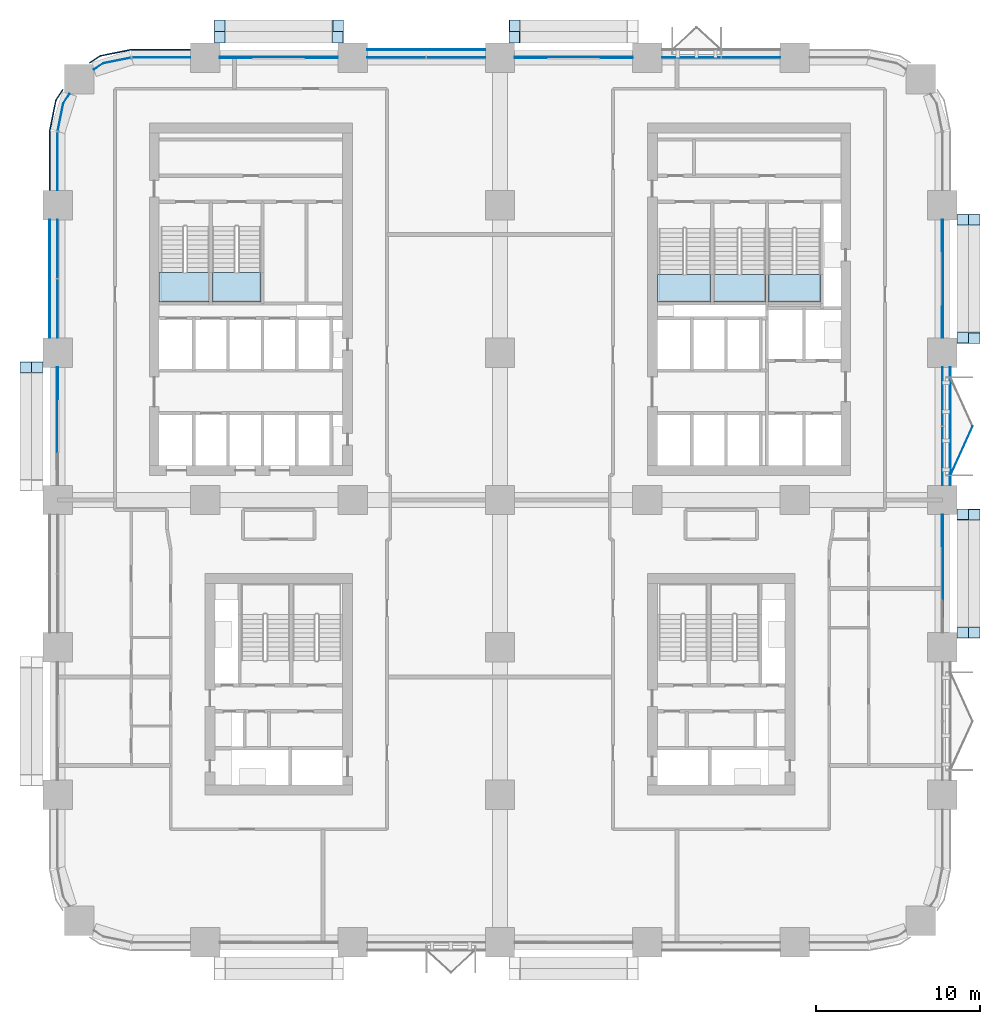
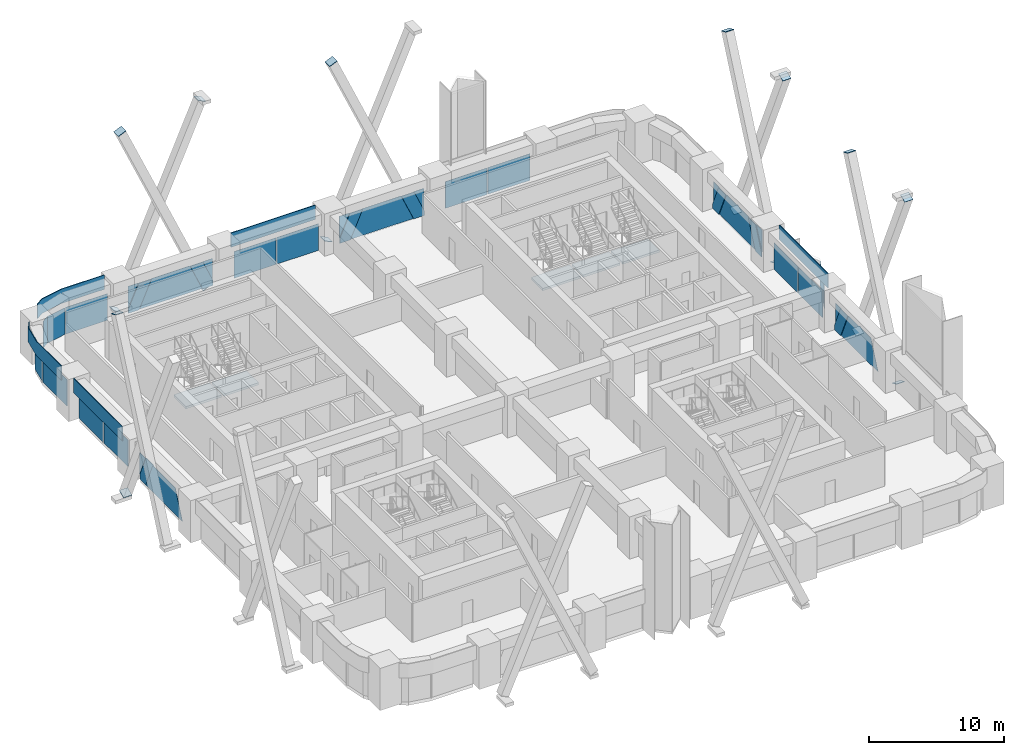
# One storey, part 13 of 24: 55 plates, 5 slabs, 16 elements without a shape of their own.
"""IFC4 building model written with IfcOpenShell, lengths in metres."""

from ifc_helpers import new_model, si_unit, direction, frame, origin, origin_2d, place, context, subcontext, project, spatial, polyline, rectangle, outline, extrude, material, layer, layer_set, type_object, element, aggregate, save


model = new_model("IFC4")

# Units and contexts
model_context = context("Model", 3, precision=1e-05, world=origin(), true_north=direction((0.0, 1.0)))
body_context = subcontext(model_context, "Body", "Model", "MODEL_VIEW")
ifc_project = project(units=[si_unit("LENGTHUNIT", "METRE"), si_unit("AREAUNIT", "SQUARE_METRE"), si_unit("VOLUMEUNIT", "CUBIC_METRE"), si_unit("PLANEANGLEUNIT", "RADIAN"), si_unit("MASSUNIT", "GRAM", prefix="KILO")], contexts=[model_context])

# Site, building, storey
site_placement = place(None, origin())
site = spatial("IfcSite", under=ifc_project, at=site_placement, CompositionType="ELEMENT")
building_placement = place(site_placement, origin())
building = spatial("IfcBuilding", under=site, at=building_placement, Name="Tessera Arch", CompositionType="ELEMENT")
storey_placement = place(building_placement, frame((0.0, 0.0, 61.39990234375)))
storey = spatial("IfcBuildingStorey", under=building, at=storey_placement, Name="L13", CompositionType="ELEMENT", Elevation=61.39990234375)

# Curtain wall, plates
ifc_material_1 = material(Name="CW1 curtain wall")
curtain_wall_type_1 = type_object("IfcCurtainWallType", Name="CW1 curtain wall", PredefinedType="NOTDEFINED", material=ifc_material_1)
curtain_wall_1_placement = place(storey_placement, origin())
curtain_wall_1 = element("IfcCurtainWall", 1, at=curtain_wall_1_placement, inside=storey, type_object=curtain_wall_type_1, Name="CW1 curtain wall E54.0/3 L13", PredefinedType="NOTDEFINED")
ifc_material_2 = material(Name="Clear low-e glass", Category="glass")
ifc_material_3 = material(Name="Clear low-e glass", Category="glass")
ifc_layer_1 = layer(ifc_material_3, 0.028076171875)
ifc_layer_set_1 = layer_set([ifc_layer_1], Name="CW1 glass panel")
plate_type_1 = type_object("IfcPlateType", Name="CW1 glass panel", PredefinedType="CURTAIN_PANEL", material=ifc_layer_set_1)
plate_1_placement = place(storey_placement, frame((54.0, 29.68505859375, 0.000244140625), z_axis=(0.0, 0.0, 1.0), x_axis=(0.0, 1.0, 0.0)))
plate_1 = element("IfcPlate", 2, at=plate_1_placement, type_object=plate_type_1, material=ifc_material_2, Name="CW1 glass panel E54.0/3 1.1.1", PredefinedType="CURTAIN_PANEL", context=body_context, shape_type="SweptSolid", body=[
    extrude(rectangle(XDim=3.570068359375, YDim=0.028076171875, at=origin_2d()), origin(), (0.0, 0.0, 1.0), 2.39990234375),
])
plate_2_placement = place(storey_placement, frame((54.0, 33.31494140625, 0.000244140625), z_axis=(0.0, 0.0, 1.0), x_axis=(0.0, 1.0, 0.0)))
plate_2 = element("IfcPlate", 3, at=plate_2_placement, type_object=plate_type_1, material=ifc_material_2, Name="CW1 glass panel E54.0/3 1.2.1", PredefinedType="CURTAIN_PANEL", context=body_context, shape_type="SweptSolid", body=[
    extrude(rectangle(XDim=3.570068359375, YDim=0.028076171875, at=origin_2d()), origin(), (0.0, 0.0, 1.0), 2.39990234375),
])

curtain_wall_2_placement = place(storey_placement, origin())
curtain_wall_2 = element("IfcCurtainWall", 4, at=curtain_wall_2_placement, inside=storey, type_object=curtain_wall_type_1, Name="CW1 curtain wall N54.0/1 L13", PredefinedType="NOTDEFINED")
plate_3_placement = place(storey_placement, frame((42.31494140625, 54.0, 0.000244140625), z_axis=(0.0, 0.0, 1.0), x_axis=(-1.0, 0.0, 0.0)))
plate_3 = element("IfcPlate", 5, at=plate_3_placement, type_object=plate_type_1, material=ifc_material_2, Name="CW1 glass panel N54.0/1 1.1.1", PredefinedType="CURTAIN_PANEL", context=body_context, shape_type="SweptSolid", body=[
    extrude(rectangle(XDim=3.570068359375, YDim=0.028076171875, at=origin_2d()), origin(), (0.0, 0.0, 1.0), 2.39990234375),
])
plate_4_placement = place(storey_placement, frame((38.68505859375, 54.0, 0.000244140625), z_axis=(0.0, 0.0, 1.0), x_axis=(-1.0, 0.0, 0.0)))
plate_4 = element("IfcPlate", 6, at=plate_4_placement, type_object=plate_type_1, material=ifc_material_2, Name="CW1 glass panel N54.0/1 1.2.1", PredefinedType="CURTAIN_PANEL", context=body_context, shape_type="SweptSolid", body=[
    extrude(rectangle(XDim=3.570068359375, YDim=0.028076171875, at=origin_2d()), origin(), (0.0, 0.0, 1.0), 2.39990234375),
])
aggregate(curtain_wall_2, [plate_3, plate_4])

curtain_wall_3_placement = place(storey_placement, origin())
curtain_wall_3 = element("IfcCurtainWall", 7, at=curtain_wall_3_placement, inside=storey, type_object=curtain_wall_type_1, Name="CW1 curtain wall N54.0/3 L13", PredefinedType="NOTDEFINED")
plate_5_placement = place(storey_placement, frame((24.31494140625, 54.0, 0.000244140625), z_axis=(0.0, 0.0, 1.0), x_axis=(-1.0, 0.0, 0.0)))
plate_5 = element("IfcPlate", 8, at=plate_5_placement, type_object=plate_type_1, material=ifc_material_2, Name="CW1 glass panel N54.0/3 1.1.1", PredefinedType="CURTAIN_PANEL", context=body_context, shape_type="SweptSolid", body=[
    extrude(rectangle(XDim=3.570068359375, YDim=0.028076171875, at=origin_2d()), origin(), (0.0, 0.0, 1.0), 2.39990234375),
])
plate_6_placement = place(storey_placement, frame((20.68505859375, 54.0, 0.000244140625), z_axis=(0.0, 0.0, 1.0), x_axis=(-1.0, 0.0, 0.0)))
plate_6 = element("IfcPlate", 9, at=plate_6_placement, type_object=plate_type_1, material=ifc_material_2, Name="CW1 glass panel N54.0/3 1.2.1", PredefinedType="CURTAIN_PANEL", context=body_context, shape_type="SweptSolid", body=[
    extrude(rectangle(XDim=3.570068359375, YDim=0.028076171875, at=origin_2d()), origin(), (0.0, 0.0, 1.0), 2.39990234375),
])

curtain_wall_4_placement = place(storey_placement, origin())
curtain_wall_4 = element("IfcCurtainWall", 10, at=curtain_wall_4_placement, inside=storey, type_object=curtain_wall_type_1, Name="CW1 curtain wall W0.0/1 L13", PredefinedType="NOTDEFINED")
plate_7_placement = place(storey_placement, frame((0.0, 42.31494140625, 0.000244140625), z_axis=(0.0, 0.0, 1.0), x_axis=(0.0, -1.0, 0.0)))
plate_7 = element("IfcPlate", 11, at=plate_7_placement, type_object=plate_type_1, material=ifc_material_2, Name="CW1 glass panel W0.0/1 1.1.1", PredefinedType="CURTAIN_PANEL", context=body_context, shape_type="SweptSolid", body=[
    extrude(rectangle(XDim=3.570068359375, YDim=0.028076171875, at=origin_2d()), origin(), (0.0, 0.0, 1.0), 2.39990234375),
])
plate_8_placement = place(storey_placement, frame((0.0, 38.68505859375, 0.000244140625), z_axis=(0.0, 0.0, 1.0), x_axis=(0.0, -1.0, 0.0)))
plate_8 = element("IfcPlate", 12, at=plate_8_placement, type_object=plate_type_1, material=ifc_material_2, Name="CW1 glass panel W0.0/1 1.2.1", PredefinedType="CURTAIN_PANEL", context=body_context, shape_type="SweptSolid", body=[
    extrude(rectangle(XDim=3.570068359375, YDim=0.028076171875, at=origin_2d()), origin(), (0.0, 0.0, 1.0), 2.39990234375),
])

# Plate
ifc_material_4 = material(Name="Pale anodised aluminium panel", Category="aluminium")
ifc_layer_2 = layer(ifc_material_4, 0.06005859375)
ifc_layer_set_2 = layer_set([ifc_layer_2], Name="CW1 spandrel panel")
plate_type_2 = type_object("IfcPlateType", Name="CW1 spandrel panel", PredefinedType="CURTAIN_PANEL", material=ifc_layer_set_2)
plate_9_placement = place(storey_placement, frame((54.47998046875, 31.5, 2.5), z_axis=(0.0, 0.0, 1.0), x_axis=(0.0, 1.0, 0.0)))
plate_9 = element("IfcPlate", 13, at=plate_9_placement, type_object=plate_type_2, Name="CW1 spandrel panel E54.0/3", PredefinedType="CURTAIN_PANEL", context=body_context, shape_type="SweptSolid", body=[
    extrude(rectangle(XDim=7.199951171875, YDim=0.06005859375, at=origin_2d()), origin(), (0.0, 0.0, 1.0), 1.300048828125),
])

aggregate(curtain_wall_1, [plate_1, plate_2, plate_9])

plate_10_placement = place(storey_placement, frame((22.5, 54.47998046875, 2.5), z_axis=(0.0, 0.0, 1.0), x_axis=(-1.0, 0.0, 0.0)))
plate_10 = element("IfcPlate", 14, at=plate_10_placement, type_object=plate_type_2, Name="CW1 spandrel panel N54.0/3", PredefinedType="CURTAIN_PANEL", context=body_context, shape_type="SweptSolid", body=[
    extrude(rectangle(XDim=7.199951171875, YDim=0.06005859375, at=origin_2d()), origin(), (0.0, 0.0, 1.0), 1.300048828125),
])

aggregate(curtain_wall_3, [plate_5, plate_6, plate_10])

plate_11_placement = place(storey_placement, frame((-0.47998046875, 40.5, 2.5), z_axis=(0.0, 0.0, 1.0), x_axis=(0.0, -1.0, 0.0)))
plate_11 = element("IfcPlate", 15, at=plate_11_placement, type_object=plate_type_2, Name="CW1 spandrel panel W0.0/1", PredefinedType="CURTAIN_PANEL", context=body_context, shape_type="SweptSolid", body=[
    extrude(rectangle(XDim=7.199951171875, YDim=0.06005859375, at=origin_2d()), origin(), (0.0, 0.0, 1.0), 1.300048828125),
])

aggregate(curtain_wall_4, [plate_7, plate_8, plate_11])

# Curtain wall, plates
ifc_material_5 = material(Name="CW2 curtain wall")
curtain_wall_type_2 = type_object("IfcCurtainWallType", Name="CW2 curtain wall", PredefinedType="NOTDEFINED", material=ifc_material_5)
curtain_wall_5_placement = place(storey_placement, origin())
curtain_wall_5 = element("IfcCurtainWall", 16, at=curtain_wall_5_placement, inside=storey, type_object=curtain_wall_type_2, Name="CW2 curtain wall N54.0/5 L13", PredefinedType="NOTDEFINED")
ifc_material_6 = material(Name="Clear low-e glass", Category="glass")
ifc_layer_3 = layer(ifc_material_6, 0.028076171875)
ifc_layer_set_3 = layer_set([ifc_layer_3], Name="CW2 glass panel")
plate_type_3 = type_object("IfcPlateType", Name="CW2 glass panel", PredefinedType="CURTAIN_PANEL", material=ifc_layer_set_3)
plate_12_placement = place(storey_placement, frame((6.320068359375, 54.0, 0.000244140625), z_axis=(0.0, 0.0, 1.0), x_axis=(-1.0, 0.0, 0.0)))
plate_12 = element("IfcPlate", 17, at=plate_12_placement, type_object=plate_type_3, material=ifc_material_2, Name="CW2 glass panel N54.0/5 1.1", PredefinedType="CURTAIN_PANEL", context=body_context, shape_type="SweptSolid", body=[
    extrude(rectangle(XDim=3.56005859375, YDim=0.028076171875, at=origin_2d()), origin(), (0.0, 0.0, 1.0), 2.39990234375),
])
plate_13_placement = place(storey_placement, origin())
plate_13 = element("IfcPlate", 18, at=plate_13_placement, type_object=plate_type_3, material=ifc_material_2, Name="CW2 curved glass panel N54.0/5 2.1", PredefinedType="CURTAIN_PANEL", context=body_context, shape_type="SweptSolid", body=[
    extrude(outline(polyline([(2.783447265625, 53.644287109375), (4.46337890625, 53.978515625), (4.4580078125, 54.005859375), (2.7724609375, 53.670654296875), (2.210205078125, 53.294921875), (2.225830078125, 53.271728515625), (2.783447265625, 53.644287109375)])), origin(), (0.0, 0.0, 1.0), 2.400146484375),
])

curtain_wall_6_placement = place(storey_placement, origin())
curtain_wall_6 = element("IfcCurtainWall", 19, at=curtain_wall_6_placement, inside=storey, type_object=curtain_wall_type_2, Name="CW2 curtain wall W0.0/0 L13", PredefinedType="NOTDEFINED")
plate_14_placement = place(storey_placement, frame((0.0, 47.679931640625, 0.000244140625), z_axis=(0.0, 0.0, 1.0), x_axis=(0.0, -1.0, 0.0)))
plate_14 = element("IfcPlate", 20, at=plate_14_placement, type_object=plate_type_3, material=ifc_material_2, Name="CW2 glass panel W0.0/0 1.1", PredefinedType="CURTAIN_PANEL", context=body_context, shape_type="SweptSolid", body=[
    extrude(rectangle(XDim=3.56005859375, YDim=0.028076171875, at=origin_2d()), origin(), (0.0, 0.0, 1.0), 2.39990234375),
])
plate_15_placement = place(storey_placement, origin())
plate_15 = element("IfcPlate", 21, at=plate_15_placement, type_object=plate_type_3, material=ifc_material_2, Name="CW2 curved glass panel W0.0/0 2.1", PredefinedType="CURTAIN_PANEL", context=body_context, shape_type="SweptSolid", body=[
    extrude(outline(polyline([(0.355712890625, 51.216552734375), (0.728271484375, 51.774169921875), (0.705078125, 51.789794921875), (0.329345703125, 51.2275390625), (-0.005859375, 49.5419921875), (0.021484375, 49.53662109375), (0.355712890625, 51.216552734375)])), origin(), (0.0, 0.0, 1.0), 2.400146484375),
])

# Plate
ifc_material_7 = material(Name="Pale anodised aluminium panel", Category="aluminium")
ifc_layer_4 = layer(ifc_material_7, 0.06005859375)
ifc_layer_set_4 = layer_set([ifc_layer_4], Name="CW2 spandrel panel")
plate_type_4 = type_object("IfcPlateType", Name="CW2 spandrel panel", PredefinedType="CURTAIN_PANEL", material=ifc_layer_set_4)
plate_16_placement = place(storey_placement, frame((0.0, 0.0, 2.5)))
plate_16 = element("IfcPlate", 22, at=plate_16_placement, type_object=plate_type_4, Name="CW2 spandrel panel N54.0/5", PredefinedType="CURTAIN_PANEL", context=body_context, shape_type="SweptSolid", body=[
    extrude(outline(polyline([(4.500732421875, 54.449951171875), (8.10009765625, 54.449951171875), (8.10009765625, 54.510009765625), (4.499267578125, 54.510009765625), (4.449951171875, 54.507568359375), (4.401123046875, 54.500244140625), (2.677734375, 54.157470703125), (2.6298828125, 54.1455078125), (2.582763671875, 54.128662109375), (2.537353515625, 54.107177734375), (2.4951171875, 54.08203125), (1.9345703125, 53.707275390625), (1.968017578125, 53.657470703125), (2.52734375, 54.03125), (2.565673828125, 54.05419921875), (2.605712890625, 54.0732421875), (2.647216796875, 54.088134765625), (2.69091796875, 54.09912109375), (4.411376953125, 54.441162109375), (4.455810546875, 54.44775390625), (4.500732421875, 54.449951171875)])), origin(), (0.0, 0.0, 1.0), 1.300048828125),
])

aggregate(curtain_wall_5, [plate_12, plate_13, plate_16])

plate_17_placement = place(storey_placement, frame((0.0, 0.0, 2.5)))
plate_17 = element("IfcPlate", 23, at=plate_17_placement, type_object=plate_type_4, Name="CW2 spandrel panel W0.0/0", PredefinedType="CURTAIN_PANEL", context=body_context, shape_type="SweptSolid", body=[
    extrude(outline(polyline([(-0.03125, 51.47265625), (0.342529296875, 52.031982421875), (0.292724609375, 52.0654296875), (-0.08203125, 51.5048828125), (-0.107177734375, 51.462646484375), (-0.128662109375, 51.417236328125), (-0.1455078125, 51.3701171875), (-0.157470703125, 51.322265625), (-0.500244140625, 49.598876953125), (-0.507568359375, 49.550048828125), (-0.510009765625, 49.500732421875), (-0.510009765625, 45.89990234375), (-0.449951171875, 45.89990234375), (-0.449951171875, 49.499267578125), (-0.44775390625, 49.544189453125), (-0.441162109375, 49.588623046875), (-0.09912109375, 51.30908203125), (-0.088134765625, 51.352783203125), (-0.0732421875, 51.394287109375), (-0.05419921875, 51.434326171875), (-0.03125, 51.47265625)])), origin(), (0.0, 0.0, 1.0), 1.300048828125),
])

aggregate(curtain_wall_6, [plate_14, plate_15, plate_17])

# Curtain wall, plate
ifc_material_8 = material(Name="CW3 curtain wall")
curtain_wall_type_3 = type_object("IfcCurtainWallType", Name="CW3 curtain wall", PredefinedType="NOTDEFINED", material=ifc_material_8)
curtain_wall_7_placement = place(storey_placement, origin())
curtain_wall_7 = element("IfcCurtainWall", 24, at=curtain_wall_7_placement, inside=storey, type_object=curtain_wall_type_3, Name="CW3 curtain wall E54.0/2 L13", PredefinedType="NOTDEFINED")
ifc_material_9 = material(Name="Pale anodised aluminium panel", Category="aluminium")
ifc_layer_5 = layer(ifc_material_9, 0.06005859375)
ifc_layer_set_5 = layer_set([ifc_layer_5], Name="CW3 diagonal panel")
plate_type_5 = type_object("IfcPlateType", Name="CW3 diagonal panel", PredefinedType="CURTAIN_PANEL", material=ifc_layer_set_5)
plate_18_placement = place(storey_placement, frame((54.030029296875, 26.10009765625, 0.0), z_axis=(1.0, 0.0, 0.0), x_axis=(0.0, 0.0, 1.0)))
plate_18 = element("IfcPlate", 25, at=plate_18_placement, type_object=plate_type_5, Name="CW3 diagonal panel E54.0/2 1", PredefinedType="CURTAIN_PANEL", context=body_context, shape_type="SweptSolid", body=[
    extrude(outline(polyline([(0.0, 0.0), (0.4365234375, 0.0), (2.400146484375, 0.8623046875), (2.400146484375, 1.94775390625), (0.0, 0.89404296875), (0.0, 0.0)])), origin(), (0.0, 0.0, -1.0), 0.06005859375),
])

# Curtain wall, plates
curtain_wall_8_placement = place(storey_placement, origin())
curtain_wall_8 = element("IfcCurtainWall", 26, at=curtain_wall_8_placement, inside=storey, type_object=curtain_wall_type_3, Name="CW3 curtain wall E54.0/4 L13", PredefinedType="NOTDEFINED")
plate_19_placement = place(storey_placement, frame((54.030029296875, 44.10009765625, 0.0), z_axis=(1.0, 0.0, 0.0), x_axis=(0.0, 0.0, 1.0)))
plate_19 = element("IfcPlate", 27, at=plate_19_placement, type_object=plate_type_5, Name="CW3 diagonal panel E54.0/4 1", PredefinedType="CURTAIN_PANEL", context=body_context, shape_type="SweptSolid", body=[
    extrude(outline(polyline([(0.0, 0.0), (0.4365234375, 0.0), (2.400146484375, 0.8623046875), (2.400146484375, 1.94775390625), (0.0, 0.89404296875), (0.0, 0.0)])), origin(), (0.0, 0.0, -1.0), 0.06005859375),
])
plate_20_placement = place(storey_placement, frame((54.030029296875, 38.84765625, 2.400146484375), z_axis=(1.0, 0.0, 0.0), x_axis=(0.0, -1.0, 0.0)))
plate_20 = element("IfcPlate", 28, at=plate_20_placement, type_object=plate_type_5, Name="CW3 diagonal panel E54.0/4 2", PredefinedType="CURTAIN_PANEL", context=body_context, shape_type="SweptSolid", body=[
    extrude(outline(polyline([(0.0, 0.0), (1.08544921875, 0.0), (1.94775390625, 1.963623046875), (1.94775390625, 2.400146484375), (1.0537109375, 2.400146484375), (0.0, 0.0)])), origin(), (0.0, 0.0, -1.0), 0.06005859375),
])

curtain_wall_9_placement = place(storey_placement, origin())
curtain_wall_9 = element("IfcCurtainWall", 29, at=curtain_wall_9_placement, inside=storey, type_object=curtain_wall_type_3, Name="CW3 curtain wall N54.0/2 L13", PredefinedType="NOTDEFINED")
plate_21_placement = place(storey_placement, frame((27.89990234375, 54.030029296875, 0.0), z_axis=(0.0, 1.0, 0.0), x_axis=(0.0, 0.0, 1.0)))
plate_21 = element("IfcPlate", 30, at=plate_21_placement, type_object=plate_type_5, Name="CW3 diagonal panel N54.0/2 1", PredefinedType="CURTAIN_PANEL", context=body_context, shape_type="SweptSolid", body=[
    extrude(outline(polyline([(0.0, 0.0), (0.4365234375, 0.0), (2.400146484375, 0.8623046875), (2.400146484375, 1.94775390625), (0.0, 0.89404296875), (0.0, 0.0)])), origin(), (0.0, 0.0, -1.0), 0.06005859375),
])
plate_22_placement = place(storey_placement, frame((33.15234375, 54.030029296875, 2.400146484375), z_axis=(0.0, 1.0, 0.0), x_axis=(1.0, 0.0, 0.0)))
plate_22 = element("IfcPlate", 31, at=plate_22_placement, type_object=plate_type_5, Name="CW3 diagonal panel N54.0/2 2", PredefinedType="CURTAIN_PANEL", context=body_context, shape_type="SweptSolid", body=[
    extrude(outline(polyline([(0.0, 0.0), (1.08544921875, 0.0), (1.94775390625, 1.963623046875), (1.94775390625, 2.400146484375), (1.0537109375, 2.400146484375), (0.0, 0.0)])), origin(), (0.0, 0.0, -1.0), 0.06005859375),
])

curtain_wall_10_placement = place(storey_placement, origin())
curtain_wall_10 = element("IfcCurtainWall", 32, at=curtain_wall_10_placement, inside=storey, type_object=curtain_wall_type_3, Name="CW3 curtain wall N54.0/4 L13", PredefinedType="NOTDEFINED")
plate_23_placement = place(storey_placement, frame((9.89990234375, 54.030029296875, 0.0), z_axis=(0.0, 1.0, 0.0), x_axis=(0.0, 0.0, 1.0)))
plate_23 = element("IfcPlate", 33, at=plate_23_placement, type_object=plate_type_5, Name="CW3 diagonal panel N54.0/4 1", PredefinedType="CURTAIN_PANEL", context=body_context, shape_type="SweptSolid", body=[
    extrude(outline(polyline([(0.0, 0.0), (0.4365234375, 0.0), (2.400146484375, 0.8623046875), (2.400146484375, 1.94775390625), (0.0, 0.89404296875), (0.0, 0.0)])), origin(), (0.0, 0.0, -1.0), 0.06005859375),
])
plate_24_placement = place(storey_placement, frame((15.15234375, 54.030029296875, 2.400146484375), z_axis=(0.0, 1.0, 0.0), x_axis=(1.0, 0.0, 0.0)))
plate_24 = element("IfcPlate", 34, at=plate_24_placement, type_object=plate_type_5, Name="CW3 diagonal panel N54.0/4 2", PredefinedType="CURTAIN_PANEL", context=body_context, shape_type="SweptSolid", body=[
    extrude(outline(polyline([(0.0, 0.0), (1.08544921875, 0.0), (1.94775390625, 1.963623046875), (1.94775390625, 2.400146484375), (1.0537109375, 2.400146484375), (0.0, 0.0)])), origin(), (0.0, 0.0, -1.0), 0.06005859375),
])

# Curtain wall, plate
curtain_wall_11_placement = place(storey_placement, origin())
curtain_wall_11 = element("IfcCurtainWall", 35, at=curtain_wall_11_placement, inside=storey, type_object=curtain_wall_type_3, Name="CW3 curtain wall W0.0/2 L13", PredefinedType="NOTDEFINED")
plate_25_placement = place(storey_placement, frame((-0.030029296875, 33.15234375, 2.400146484375), z_axis=(-1.0, 0.0, 0.0), x_axis=(0.0, 1.0, 0.0)))
plate_25 = element("IfcPlate", 36, at=plate_25_placement, type_object=plate_type_5, Name="CW3 diagonal panel W0.0/2 2", PredefinedType="CURTAIN_PANEL", context=body_context, shape_type="SweptSolid", body=[
    extrude(outline(polyline([(0.0, 0.0), (1.08544921875, 0.0), (1.94775390625, 1.963623046875), (1.94775390625, 2.400146484375), (1.0537109375, 2.400146484375), (0.0, 0.0)])), origin(), (0.0, 0.0, -1.0), 0.06005859375),
])

# Plate
ifc_material_10 = material(Name="Clear low-e glass", Category="glass")
ifc_layer_6 = layer(ifc_material_10, 0.028076171875)
ifc_layer_set_6 = layer_set([ifc_layer_6], Name="CW3 glass panel")
plate_type_6 = type_object("IfcPlateType", Name="CW3 glass panel", PredefinedType="CURTAIN_PANEL", material=ifc_layer_set_6)
plate_26_placement = place(storey_placement, frame((54.05810546875, 24.15234375, 2.400146484375), z_axis=(1.0, 0.0, 0.0), x_axis=(0.0, -1.0, 0.0)))
plate_26 = element("IfcPlate", 37, at=plate_26_placement, type_object=plate_type_6, material=ifc_material_2, Name="CW3 triangulated glass panel E54.0/2 2", PredefinedType="CURTAIN_PANEL", context=body_context, shape_type="SweptSolid", body=[
    extrude(outline(polyline([(0.0, 0.0), (3.3046875, 0.0), (4.3583984375, 2.400146484375), (-1.0537109375, 2.400146484375), (0.0, 0.0)])), origin(), (0.0, 0.0, -1.0), 0.028076171875),
])

plate_27_placement = place(storey_placement, frame((54.05810546875, 26.10009765625, 2.400146484375), z_axis=(1.0, 0.0, 0.0), x_axis=(0.0, -1.0, 0.0)))
plate_27 = element("IfcPlate", 38, at=plate_27_placement, type_object=plate_type_6, material=ifc_material_2, Name="CW3 triangulated glass panel E54.0/2 3", PredefinedType="CURTAIN_PANEL", context=body_context, shape_type="SweptSolid", body=[
    extrude(outline(polyline([(0.0, 0.0), (0.8623046875, 0.0), (0.0, 1.963623046875), (0.0, 0.0)])), origin(), (0.0, 0.0, -1.0), 0.028076171875),
])

aggregate(curtain_wall_7, [plate_26, plate_27, plate_18])

plate_28_placement = place(storey_placement, frame((54.05810546875, 36.89990234375, 2.400146484375), z_axis=(1.0, 0.0, 0.0), x_axis=(0.0, 0.0, -1.0)))
plate_28 = element("IfcPlate", 39, at=plate_28_placement, type_object=plate_type_6, material=ifc_material_2, Name="CW3 triangulated glass panel E54.0/4 1", PredefinedType="CURTAIN_PANEL", context=body_context, shape_type="SweptSolid", body=[
    extrude(outline(polyline([(0.0, 0.0), (1.963623046875, 0.0), (0.0, 0.8623046875), (0.0, 0.0)])), origin(), (0.0, 0.0, -1.0), 0.028076171875),
])

plate_29_placement = place(storey_placement, frame((54.05810546875, 42.15234375, 2.400146484375), z_axis=(1.0, 0.0, 0.0), x_axis=(0.0, -1.0, 0.0)))
plate_29 = element("IfcPlate", 40, at=plate_29_placement, type_object=plate_type_6, material=ifc_material_2, Name="CW3 triangulated glass panel E54.0/4 2", PredefinedType="CURTAIN_PANEL", context=body_context, shape_type="SweptSolid", body=[
    extrude(outline(polyline([(0.0, 0.0), (3.3046875, 0.0), (4.3583984375, 2.400146484375), (-1.0537109375, 2.400146484375), (0.0, 0.0)])), origin(), (0.0, 0.0, -1.0), 0.028076171875),
])

plate_30_placement = place(storey_placement, frame((54.05810546875, 44.10009765625, 2.400146484375), z_axis=(1.0, 0.0, 0.0), x_axis=(0.0, -1.0, 0.0)))
plate_30 = element("IfcPlate", 41, at=plate_30_placement, type_object=plate_type_6, material=ifc_material_2, Name="CW3 triangulated glass panel E54.0/4 3", PredefinedType="CURTAIN_PANEL", context=body_context, shape_type="SweptSolid", body=[
    extrude(outline(polyline([(0.0, 0.0), (0.8623046875, 0.0), (0.0, 1.963623046875), (0.0, 0.0)])), origin(), (0.0, 0.0, -1.0), 0.028076171875),
])

aggregate(curtain_wall_8, [plate_28, plate_29, plate_30, plate_19, plate_20])

plate_31_placement = place(storey_placement, frame((35.10009765625, 54.05810546875, 2.400146484375), z_axis=(0.0, 1.0, 0.0), x_axis=(0.0, 0.0, -1.0)))
plate_31 = element("IfcPlate", 42, at=plate_31_placement, type_object=plate_type_6, material=ifc_material_2, Name="CW3 triangulated glass panel N54.0/2 1", PredefinedType="CURTAIN_PANEL", context=body_context, shape_type="SweptSolid", body=[
    extrude(outline(polyline([(0.0, 0.0), (1.963623046875, 0.0), (0.0, 0.8623046875), (0.0, 0.0)])), origin(), (0.0, 0.0, -1.0), 0.028076171875),
])

plate_32_placement = place(storey_placement, frame((29.84765625, 54.05810546875, 2.400146484375), z_axis=(0.0, 1.0, 0.0), x_axis=(1.0, 0.0, 0.0)))
plate_32 = element("IfcPlate", 43, at=plate_32_placement, type_object=plate_type_6, material=ifc_material_2, Name="CW3 triangulated glass panel N54.0/2 2", PredefinedType="CURTAIN_PANEL", context=body_context, shape_type="SweptSolid", body=[
    extrude(outline(polyline([(0.0, 0.0), (3.3046875, 0.0), (4.3583984375, 2.400146484375), (-1.0537109375, 2.400146484375), (0.0, 0.0)])), origin(), (0.0, 0.0, -1.0), 0.028076171875),
])

plate_33_placement = place(storey_placement, frame((27.89990234375, 54.05810546875, 2.400146484375), z_axis=(0.0, 1.0, 0.0), x_axis=(1.0, 0.0, 0.0)))
plate_33 = element("IfcPlate", 44, at=plate_33_placement, type_object=plate_type_6, material=ifc_material_2, Name="CW3 triangulated glass panel N54.0/2 3", PredefinedType="CURTAIN_PANEL", context=body_context, shape_type="SweptSolid", body=[
    extrude(outline(polyline([(0.0, 0.0), (0.8623046875, 0.0), (0.0, 1.963623046875), (0.0, 0.0)])), origin(), (0.0, 0.0, -1.0), 0.028076171875),
])

aggregate(curtain_wall_9, [plate_31, plate_32, plate_33, plate_21, plate_22])

plate_34_placement = place(storey_placement, frame((17.10009765625, 54.05810546875, 2.400146484375), z_axis=(0.0, 1.0, 0.0), x_axis=(0.0, 0.0, -1.0)))
plate_34 = element("IfcPlate", 45, at=plate_34_placement, type_object=plate_type_6, material=ifc_material_2, Name="CW3 triangulated glass panel N54.0/4 1", PredefinedType="CURTAIN_PANEL", context=body_context, shape_type="SweptSolid", body=[
    extrude(outline(polyline([(0.0, 0.0), (1.963623046875, 0.0), (0.0, 0.8623046875), (0.0, 0.0)])), origin(), (0.0, 0.0, -1.0), 0.028076171875),
])

plate_35_placement = place(storey_placement, frame((11.84765625, 54.05810546875, 2.400146484375), z_axis=(0.0, 1.0, 0.0), x_axis=(1.0, 0.0, 0.0)))
plate_35 = element("IfcPlate", 46, at=plate_35_placement, type_object=plate_type_6, material=ifc_material_2, Name="CW3 triangulated glass panel N54.0/4 2", PredefinedType="CURTAIN_PANEL", context=body_context, shape_type="SweptSolid", body=[
    extrude(outline(polyline([(0.0, 0.0), (3.3046875, 0.0), (4.3583984375, 2.400146484375), (-1.0537109375, 2.400146484375), (0.0, 0.0)])), origin(), (0.0, 0.0, -1.0), 0.028076171875),
])

plate_36_placement = place(storey_placement, frame((9.89990234375, 54.05810546875, 2.400146484375), z_axis=(0.0, 1.0, 0.0), x_axis=(1.0, 0.0, 0.0)))
plate_36 = element("IfcPlate", 47, at=plate_36_placement, type_object=plate_type_6, material=ifc_material_2, Name="CW3 triangulated glass panel N54.0/4 3", PredefinedType="CURTAIN_PANEL", context=body_context, shape_type="SweptSolid", body=[
    extrude(outline(polyline([(0.0, 0.0), (0.8623046875, 0.0), (0.0, 1.963623046875), (0.0, 0.0)])), origin(), (0.0, 0.0, -1.0), 0.028076171875),
])

aggregate(curtain_wall_10, [plate_34, plate_35, plate_36, plate_23, plate_24])

plate_37_placement = place(storey_placement, frame((-0.05810546875, 35.10009765625, 2.400146484375), z_axis=(-1.0, 0.0, 0.0), x_axis=(0.0, 0.0, -1.0)))
plate_37 = element("IfcPlate", 48, at=plate_37_placement, type_object=plate_type_6, material=ifc_material_2, Name="CW3 triangulated glass panel W0.0/2 1", PredefinedType="CURTAIN_PANEL", context=body_context, shape_type="SweptSolid", body=[
    extrude(outline(polyline([(0.0, 0.0), (1.963623046875, 0.0), (0.0, 0.8623046875), (0.0, 0.0)])), origin(), (0.0, 0.0, -1.0), 0.028076171875),
])

plate_38_placement = place(storey_placement, frame((-0.05810546875, 29.84765625, 2.400146484375), z_axis=(-1.0, 0.0, 0.0), x_axis=(0.0, 1.0, 0.0)))
plate_38 = element("IfcPlate", 49, at=plate_38_placement, type_object=plate_type_6, material=ifc_material_2, Name="CW3 triangulated glass panel W0.0/2 2", PredefinedType="CURTAIN_PANEL", context=body_context, shape_type="SweptSolid", body=[
    extrude(outline(polyline([(0.0, 0.0), (3.3046875, 0.0), (4.3583984375, 2.400146484375), (-1.0537109375, 2.400146484375), (0.0, 0.0)])), origin(), (0.0, 0.0, -1.0), 0.028076171875),
])

aggregate(curtain_wall_11, [plate_37, plate_38, plate_25])

# Plates
ifc_material_11 = material(Name="Steel A572 Gr50", Category="steel")
ifc_layer_7 = layer(ifc_material_11, 0.0400390625)
ifc_layer_set_7 = layer_set([ifc_layer_7], Name="End plate BOX 700x700x50")
plate_type_7 = type_object("IfcPlateType", Name="End plate BOX 700x700x50", PredefinedType="SHEET", material=ifc_layer_set_7)
for number, where, z_axis, x_axis, name in (
    (50, (55.25, 18.884033203125, -0.83642578125), (0.0, 0.397607437634, 0.91755562531), (-1.0, 0.0, 0.0), "End plate BOX 700x700x50 E54.0-2 A1 L13"),
    (51, (55.25, 26.10009765625, 15.60009765625), (0.0, 0.397607437634, 0.91755562531), (-1.0, 0.0, 0.0), "End plate BOX 700x700x50 E54.0-2 A2 L13"),
    (52, (55.949951171875, 26.115966796875, -0.83642578125), (0.0, -0.397607437634, 0.91755562531), (1.0, 0.0, 0.0), "End plate BOX 700x700x50 E54.0-2 B1 L13"),
    (53, (55.949951171875, 18.89990234375, 15.60009765625), (0.0, -0.397607437634, 0.91755562531), (1.0, 0.0, 0.0), "End plate BOX 700x700x50 E54.0-2 B2 L13"),
    (54, (55.25, 36.884033203125, -0.83642578125), (0.0, 0.397607437634, 0.91755562531), (-1.0, 0.0, 0.0), "End plate BOX 700x700x50 E54.0-4 A1 L13"),
    (55, (55.25, 44.10009765625, 15.60009765625), (0.0, 0.397607437634, 0.91755562531), (-1.0, 0.0, 0.0), "End plate BOX 700x700x50 E54.0-4 A2 L13"),
    (56, (55.949951171875, 44.115966796875, -0.83642578125), (0.0, -0.397607437634, 0.91755562531), (1.0, 0.0, 0.0), "End plate BOX 700x700x50 E54.0-4 B1 L13"),
    (57, (55.949951171875, 36.89990234375, 15.60009765625), (0.0, -0.397607437634, 0.91755562531), (1.0, 0.0, 0.0), "End plate BOX 700x700x50 E54.0-4 B2 L13"),
    (58, (27.89990234375, 55.25, 15.60009765625), (-0.397607437634, 0.0, 0.91755562531), (0.0, -1.0, 0.0), "End plate BOX 700x700x50 N54.0-2 A2 L13"),
    (59, (27.884033203125, 55.949951171875, -0.83642578125), (0.397607437634, 0.0, 0.91755562531), (0.0, 1.0, 0.0), "End plate BOX 700x700x50 N54.0-2 B1 L13"),
    (60, (17.115966796875, 55.25, -0.83642578125), (-0.397607437634, 0.0, 0.91755562531), (0.0, -1.0, 0.0), "End plate BOX 700x700x50 N54.0-4 A1 L13"),
    (61, (9.89990234375, 55.25, 15.60009765625), (-0.397607437634, 0.0, 0.91755562531), (0.0, -1.0, 0.0), "End plate BOX 700x700x50 N54.0-4 A2 L13"),
    (62, (9.884033203125, 55.949951171875, -0.83642578125), (0.397607437634, 0.0, 0.91755562531), (0.0, 1.0, 0.0), "End plate BOX 700x700x50 N54.0-4 B1 L13"),
    (63, (17.10009765625, 55.949951171875, 15.60009765625), (0.397607437634, 0.0, 0.91755562531), (0.0, 1.0, 0.0), "End plate BOX 700x700x50 N54.0-4 B2 L13"),
    (64, (-1.25, 35.115966796875, -0.83642578125), (0.0, -0.397607437634, 0.91755562531), (1.0, 0.0, 0.0), "End plate BOX 700x700x50 W0.0-2 A1 L13"),
    (65, (-1.949951171875, 35.10009765625, 15.60009765625), (0.0, 0.397607437634, 0.91755562531), (-1.0, 0.0, 0.0), "End plate BOX 700x700x50 W0.0-2 B2 L13"),
):
    element("IfcPlate", number, at=place(storey_placement, frame(where, z_axis=z_axis, x_axis=x_axis)), inside=storey, type_object=plate_type_7, Name=name, PredefinedType="SHEET", context=body_context, shape_type="SweptSolid", body=[
        extrude(rectangle(XDim=0.699951171875, YDim=0.699951171875, at=origin_2d()), origin(), (0.0, 0.0, 1.0), 0.039794921875),
    ])

# Stair, slab
ifc_material_12 = material(Name="Concrete C40/50", Category="concrete")
stair_type_1 = type_object("IfcStairType", Name="Dogleg stair 1520", PredefinedType="HALF_TURN_STAIR", material=ifc_material_12)
stair_1_placement = place(storey_placement, origin())
stair_1 = element("IfcStair", 66, at=stair_1_placement, inside=storey, type_object=stair_type_1, Name="L13 S1a", PredefinedType="HALF_TURN_STAIR")
ifc_material_13 = material(Name="Concrete C40/50", Category="concrete")
ifc_layer_8 = layer(ifc_material_13, 0.300048828125)
ifc_layer_set_8 = layer_set([ifc_layer_8], Name="Stair landing 300")
slab_type = type_object("IfcSlabType", Name="Stair landing 300", PredefinedType="LANDING", material=ifc_layer_set_8)
slab_1_placement = place(storey_placement, frame((0.0, 0.0, 1.7001953125)))
slab_1 = element("IfcSlab", 67, at=slab_1_placement, type_object=slab_type, Name="S1a landing 1", PredefinedType="LANDING", context=body_context, shape_type="SweptSolid", body=[
    extrude(outline(polyline([(36.60009765625, 40.780029296875), (36.60009765625, 39.10009765625), (39.85009765625, 39.10009765625), (39.85009765625, 40.780029296875), (36.60009765625, 40.780029296875)])), origin(), (0.0, 0.0, 1.0), 0.199951171875),
])
aggregate(stair_1, [slab_1])

stair_2_placement = place(storey_placement, origin())
stair_2 = element("IfcStair", 68, at=stair_2_placement, inside=storey, type_object=stair_type_1, Name="L13 S1b", PredefinedType="HALF_TURN_STAIR")
slab_2_placement = place(storey_placement, frame((0.0, 0.0, 1.7001953125)))
slab_2 = element("IfcSlab", 69, at=slab_2_placement, type_object=slab_type, Name="S1b landing 1", PredefinedType="LANDING", context=body_context, shape_type="SweptSolid", body=[
    extrude(outline(polyline([(40.050048828125, 40.780029296875), (40.050048828125, 39.10009765625), (43.199951171875, 39.10009765625), (43.199951171875, 40.780029296875), (40.050048828125, 40.780029296875)])), origin(), (0.0, 0.0, 1.0), 0.199951171875),
])
aggregate(stair_2, [slab_2])

stair_3_placement = place(storey_placement, origin())
stair_3 = element("IfcStair", 70, at=stair_3_placement, inside=storey, type_object=stair_type_1, Name="L13 S1c", PredefinedType="HALF_TURN_STAIR")
slab_3_placement = place(storey_placement, frame((0.0, 0.0, 1.7001953125)))
slab_3 = element("IfcSlab", 71, at=slab_3_placement, type_object=slab_type, Name="S1c landing 1", PredefinedType="LANDING", context=body_context, shape_type="SweptSolid", body=[
    extrude(outline(polyline([(43.39990234375, 40.780029296875), (43.39990234375, 39.10009765625), (46.550048828125, 39.10009765625), (46.550048828125, 40.780029296875), (43.39990234375, 40.780029296875)])), origin(), (0.0, 0.0, 1.0), 0.199951171875),
])
aggregate(stair_3, [slab_3])

ifc_material_14 = material(Name="Concrete C40/50", Category="concrete")
stair_type_2 = type_object("IfcStairType", Name="Dogleg stair 1400", PredefinedType="HALF_TURN_STAIR", material=ifc_material_14)
stair_4_placement = place(storey_placement, origin())
stair_4 = element("IfcStair", 72, at=stair_4_placement, inside=storey, type_object=stair_type_2, Name="L13 S2a", PredefinedType="HALF_TURN_STAIR")
slab_4_placement = place(storey_placement, frame((0.0, 0.0, 1.7001953125)))
slab_4 = element("IfcSlab", 73, at=slab_4_placement, type_object=slab_type, Name="S2a landing 1", PredefinedType="LANDING", context=body_context, shape_type="SweptSolid", body=[
    extrude(outline(polyline([(6.199951171875, 40.89990234375), (6.199951171875, 39.10009765625), (9.25, 39.10009765625), (9.25, 40.89990234375), (6.199951171875, 40.89990234375)])), origin(), (0.0, 0.0, 1.0), 0.199951171875),
])
aggregate(stair_4, [slab_4])

stair_5_placement = place(storey_placement, origin())
stair_5 = element("IfcStair", 74, at=stair_5_placement, inside=storey, type_object=stair_type_2, Name="L13 S2b", PredefinedType="HALF_TURN_STAIR")
slab_5_placement = place(storey_placement, frame((0.0, 0.0, 1.7001953125)))
slab_5 = element("IfcSlab", 75, at=slab_5_placement, type_object=slab_type, Name="S2b landing 1", PredefinedType="LANDING", context=body_context, shape_type="SweptSolid", body=[
    extrude(outline(polyline([(9.449951171875, 40.89990234375), (9.449951171875, 39.10009765625), (12.39990234375, 39.10009765625), (12.39990234375, 40.89990234375), (9.449951171875, 40.89990234375)])), origin(), (0.0, 0.0, 1.0), 0.199951171875),
])
aggregate(stair_5, [slab_5])

# Plate
ifc_material_15 = material(Name="Clear low-e glass", Category="glass")
ifc_layer_9 = layer(ifc_material_15, 0.028076171875)
ifc_layer_set_9 = layer_set([ifc_layer_9], Name="Window box glass facet")
plate_type_8 = type_object("IfcPlateType", Name="Window box glass facet", PredefinedType="SHEET", material=ifc_layer_set_9)
plate_39_placement = place(storey_placement, frame((55.179931640625, 30.02490234375, 0.219970703125), z_axis=(0.0, 0.0, 1.0), x_axis=(0.413570397858, 0.910472144558, 0.0)))
element("IfcPlate", 76, at=plate_39_placement, inside=storey, type_object=plate_type_8, Name="Window box E54.0/3.0 2x1 glass", PredefinedType="SHEET", context=body_context, shape_type="SweptSolid", body=[
    extrude(rectangle(XDim=3.239990234375, YDim=0.028076171875, at=origin_2d()), origin(), (0.0, 0.0, 1.0), 2.06005859375),
])

save(model, "model.ifc")
